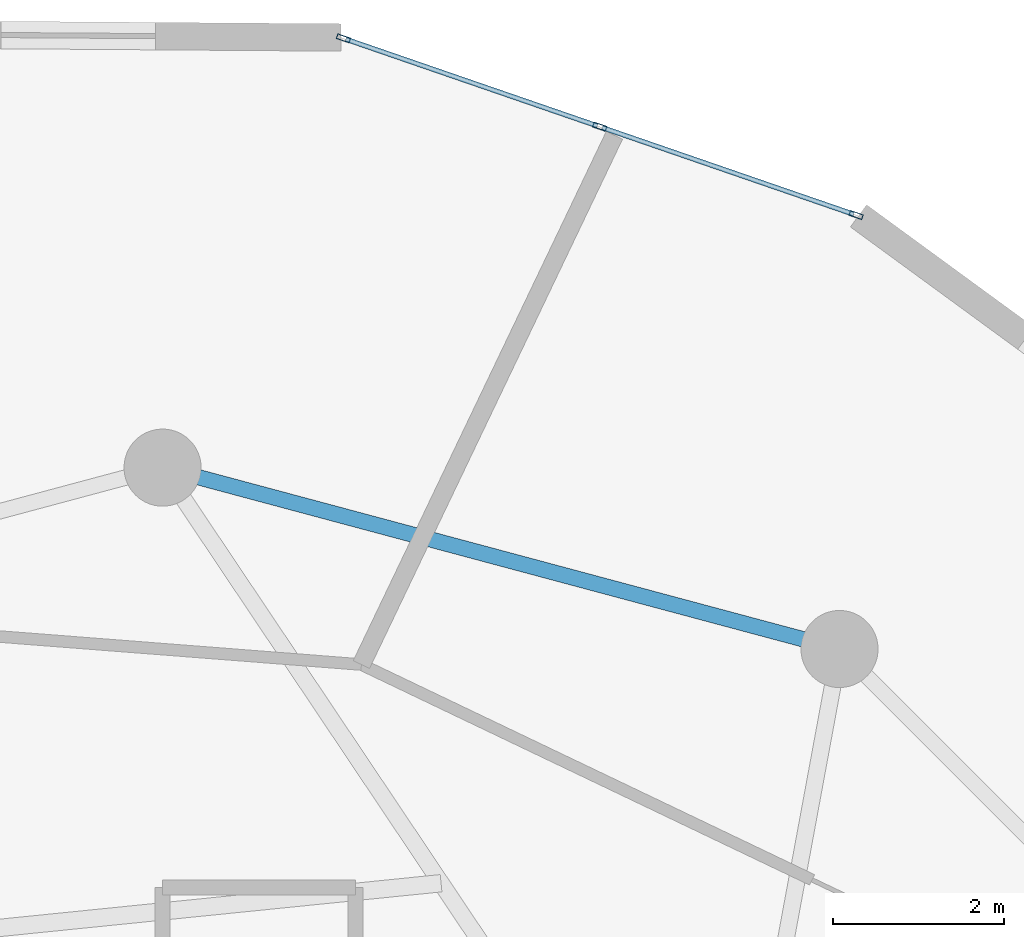
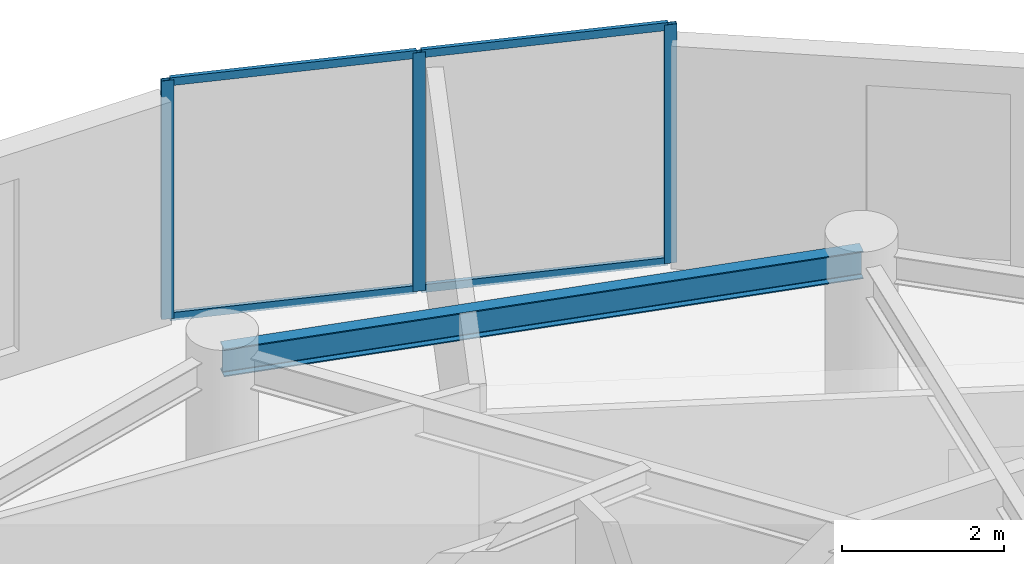
# One storey, part 10 of 17: 7 members, 1 beam, 1 element without a shape of its own.
"""IFC4 building model written with IfcOpenShell, lengths in metres."""

import ifcopenshell
import ifcopenshell.guid

model = None  # the IFC model being written
_history = None  # IfcOwnerHistory: only IFC2X3 demands one
_inside = {}  # id of a spatial element -> (the spatial element, [elements in it])
_under = {}  # id of a project, library or spatial element -> (it, [spatial elements below it])
_declared = {}  # id of a project -> (the project, [libraries it declares])
_typed = {}  # id of a type object -> (the type object, [elements of that type])
_made_of = {}  # id of a material, layer set ... -> (it, [elements and type objects made of it])


def new_model(schema):
    """Start an empty IFC model of exactly this schema.

    Asked for "IFC4X3", IfcOpenShell would pick the latest addendum, in which some entities
    have other attributes; the version numbers below select the first issue.
    IFC2X3 requires an IfcOwnerHistory on every rooted entity: one is made here for all.
    """
    global model, _history
    if schema == "IFC4X3":
        model = ifcopenshell.file(schema_version=(4, 3, 0, 0))
    else:
        model = ifcopenshell.file(schema=schema)
    _inside.clear()
    _under.clear()
    _declared.clear()
    _typed.clear()
    _made_of.clear()
    _history = None
    if model.schema == "IFC2X3":
        org = make("IfcOrganization", Name="unknown")
        user = make(
            "IfcPersonAndOrganization",
            ThePerson=make("IfcPerson", FamilyName="unknown"),
            TheOrganization=org,
        )
        app = make(
            "IfcApplication",
            ApplicationDeveloper=org,
            Version="unknown",
            ApplicationFullName="unknown",
            ApplicationIdentifier="unknown",
        )
        _history = make(
            "IfcOwnerHistory",
            OwningUser=user,
            OwningApplication=app,
            ChangeAction="ADDED",
            CreationDate=0,
        )
    return model


def make(cls, **values):
    """One entity of the class cls with the attributes given. An attribute that is None is left unset."""
    return model.create_entity(
        cls, **{name: value for name, value in values.items() if value is not None}
    )


def rooted(cls, **values):
    """An entity with a GlobalId (a new one), such as an element, a storey or a relation."""
    return make(cls, GlobalId=ifcopenshell.guid.new(), OwnerHistory=_history, **values)


def si_unit(unit_type, name, prefix=None):
    """IfcSIUnit, for example si_unit("LENGTHUNIT", "METRE", prefix="MILLI")."""
    return make("IfcSIUnit", UnitType=unit_type, Prefix=prefix, Name=name)


def assignment(units):
    """IfcUnitAssignment: the units of a project."""
    return None if units is None else make("IfcUnitAssignment", Units=units)


def point(xyz):
    """IfcCartesianPoint."""
    return None if xyz is None else make("IfcCartesianPoint", Coordinates=xyz)


def direction(xyz):
    """IfcDirection."""
    return None if xyz is None else make("IfcDirection", DirectionRatios=xyz)


def frame(location, z_axis=None, x_axis=None):
    """IfcAxis2Placement3D, a coordinate frame: its origin and axes. An axis left out is left unset."""
    return make(
        "IfcAxis2Placement3D",
        Location=point(location),
        Axis=direction(z_axis),
        RefDirection=direction(x_axis),
    )


def frame_2d(location, x_axis=None):
    """IfcAxis2Placement2D, a coordinate frame in the plane: its origin and x axis."""
    return make(
        "IfcAxis2Placement2D", Location=point(location), RefDirection=direction(x_axis)
    )


def origin():
    """The frame at (0, 0, 0) with its axes left unset."""
    return frame((0.0, 0.0, 0.0))


def origin_2d():
    """The frame at (0, 0) in the plane with its x axis left unset."""
    return frame_2d((0.0, 0.0))


def place(relative_to, where):
    """IfcLocalPlacement: puts the frame where relative to a parent placement (None: the world)."""
    return make(
        "IfcLocalPlacement", PlacementRelTo=relative_to, RelativePlacement=where
    )


def context(
    kind, dimensions, precision=None, world=None, true_north=None, identifier=None
):
    """IfcGeometricRepresentationContext, for example the 3D "Model" context."""
    return make(
        "IfcGeometricRepresentationContext",
        ContextIdentifier=identifier,
        ContextType=kind,
        CoordinateSpaceDimension=dimensions,
        Precision=precision,
        WorldCoordinateSystem=world,
        TrueNorth=true_north,
    )


def subcontext(parent, identifier, kind, view, scale=None):
    """IfcGeometricRepresentationSubContext, for example "Body" below "Model"."""
    return make(
        "IfcGeometricRepresentationSubContext",
        ContextIdentifier=identifier,
        ContextType=kind,
        ParentContext=parent,
        TargetScale=scale,
        TargetView=view,
    )


def project(units=None, contexts=None):
    """IfcProject with its units and contexts."""
    return rooted(
        "IfcProject",
        Name="project",
        RepresentationContexts=contexts,
        UnitsInContext=assignment(units),
    )


def spatial(cls, under=None, at=None, **own):
    """A site, building, storey or space (cls), placed at a placement, below another one or the project."""
    s = rooted(cls, ObjectPlacement=at, **own)
    if under is not None:
        _under.setdefault(under.id(), (under, []))[1].append(s)
    return s


def profile(cls, at=None, kind="AREA", **sizes):
    """A parametric profile (cls). Its sizes go by their IFC names, for example OverallWidth=200.0."""
    return make(cls, ProfileType=kind, Position=at, **sizes)


def hollow_rectangle(**sizes):
    """IfcRectangleHollowProfileDef."""
    return profile("IfcRectangleHollowProfileDef", **sizes)


def i_section(**sizes):
    """IfcIShapeProfileDef."""
    return profile("IfcIShapeProfileDef", **sizes)


def extrude(swept, where, along, depth):
    """IfcExtrudedAreaSolid: the profile swept, set in the frame where, extruded along a direction by depth."""
    return make(
        "IfcExtrudedAreaSolid",
        SweptArea=swept,
        Position=where,
        ExtrudedDirection=direction(along),
        Depth=depth,
    )


def shape(context_of_items, identifier, shape_type, items):
    """IfcShapeRepresentation: the items that make up one representation, for example the "Body"."""
    return make(
        "IfcShapeRepresentation",
        ContextOfItems=context_of_items,
        RepresentationIdentifier=identifier,
        RepresentationType=shape_type,
        Items=items,
    )


def source(mapping_origin, context_of_items, identifier, shape_type, items):
    """IfcRepresentationMap: a shape defined once, which mapped items show again and again."""
    return make(
        "IfcRepresentationMap",
        MappingOrigin=mapping_origin,
        MappedRepresentation=shape(context_of_items, identifier, shape_type, items),
    )


def transform(
    local_origin,
    x_axis=None,
    y_axis=None,
    z_axis=None,
    scale=None,
    scale2=None,
    scale3=None,
    uniform=True,
):
    """IfcCartesianTransformationOperator3D, or its non-uniform kind. x_axis, y_axis, z_axis: its Axis1, 2, 3."""
    if uniform:
        return make(
            "IfcCartesianTransformationOperator3D",
            Axis1=direction(x_axis),
            Axis2=direction(y_axis),
            LocalOrigin=point(local_origin),
            Scale=scale,
            Axis3=direction(z_axis),
        )
    return make(
        "IfcCartesianTransformationOperator3DnonUniform",
        Axis1=direction(x_axis),
        Axis2=direction(y_axis),
        LocalOrigin=point(local_origin),
        Scale=scale,
        Axis3=direction(z_axis),
        Scale2=scale2,
        Scale3=scale3,
    )


def mapped(mapping_source, mapping_target):
    """IfcMappedItem: shows the shape of a source again, moved by a transform."""
    return make(
        "IfcMappedItem", MappingSource=mapping_source, MappingTarget=mapping_target
    )


def material(Name=None, Category=None):
    """IfcMaterial."""
    return make("IfcMaterial", Name=Name, Category=Category)


def layer(
    of_material, thickness, ventilated=None, Name=None, Category=None, Priority=None
):
    """IfcMaterialLayer: one layer of a wall or slab, of a material (None: an air gap)."""
    return make(
        "IfcMaterialLayer",
        Material=of_material,
        LayerThickness=thickness,
        IsVentilated=ventilated,
        Name=Name,
        Category=Category,
        Priority=Priority,
    )


def layer_set(layers, Name=None):
    """IfcMaterialLayerSet."""
    return make("IfcMaterialLayerSet", MaterialLayers=layers, LayerSetName=Name)


def material_profile(
    of_material, cross_section, Name=None, Category=None, Priority=None
):
    """IfcMaterialProfile: a cross section and its material."""
    return make(
        "IfcMaterialProfile",
        Name=Name,
        Material=of_material,
        Profile=cross_section,
        Priority=Priority,
        Category=Category,
    )


def profile_set(profiles, Name=None, composite=None):
    """IfcMaterialProfileSet."""
    return make(
        "IfcMaterialProfileSet",
        Name=Name,
        MaterialProfiles=profiles,
        CompositeProfile=composite,
    )


def made_of(thing, what):
    """Note that an element or type object is made of a material, layer set ...; save() writes the relation."""
    if what is not None:
        _made_of.setdefault(what.id(), (what, []))[1].append(thing)
    return thing


def type_object(cls, material=None, **own):
    """A type object (cls), such as IfcWallType, which elements share."""
    return made_of(rooted(cls, **own), material)


def element(
    cls,
    number,
    at=None,
    inside=None,
    cuts=None,
    type_object=None,
    material=None,
    context=None,
    identifier="Body",
    shape_type=None,
    held_by="IfcProductDefinitionShape",
    body=None,
    shapes=None,
    **own,
):
    """One element of the class cls, such as IfcWall. Its Tag is "e" and its number.

    at: its placement. inside: the storey or other place that contains it. cuts: it is an
    opening in that element (IfcRelVoidsElement). A single representation is given by context,
    identifier, shape_type and body (its items); several are given by shapes. held_by: the class
    of the entity that holds the representations. save() writes the other relations.
    """
    e = rooted(cls, Tag="e%d" % number, ObjectPlacement=at, **own)
    if body is not None:
        shapes = [shape(context, identifier, shape_type, body)]
    if shapes is not None:
        e.Representation = make(held_by, Representations=shapes)
    if inside is not None:
        _inside.setdefault(inside.id(), (inside, []))[1].append(e)
    if cuts is not None:
        rooted(
            "IfcRelVoidsElement", RelatingBuildingElement=cuts, RelatedOpeningElement=e
        )
    if type_object is not None:
        _typed.setdefault(type_object.id(), (type_object, []))[1].append(e)
    return made_of(e, material)


def aggregate(whole, parts):
    """IfcRelAggregates: a whole, such as a stair, and the parts it consists of."""
    return rooted("IfcRelAggregates", RelatingObject=whole, RelatedObjects=parts)


def save(model, path):
    """Write the relations noted so far, then the file.

    IfcRelAggregates (storeys below a building ...), IfcRelContainedInSpatialStructure (elements
    in a storey), IfcRelDefinesByType, IfcRelAssociatesMaterial and IfcRelDeclares: one each for
    every whole, place, type object, material and project.
    """
    for whole, parts in _under.values():
        aggregate(whole, parts)
    for where, things in _inside.values():
        rooted(
            "IfcRelContainedInSpatialStructure",
            RelatedElements=things,
            RelatingStructure=where,
        )
    for kind, things in _typed.values():
        rooted("IfcRelDefinesByType", RelatedObjects=things, RelatingType=kind)
    for what, things in _made_of.values():
        rooted("IfcRelAssociatesMaterial", RelatedObjects=things, RelatingMaterial=what)
    for by, libraries in _declared.values():
        rooted("IfcRelDeclares", RelatingContext=by, RelatedDefinitions=libraries)
    model.write(path)


model = new_model("IFC4")

# Units and contexts
model_context = context("Model", 3, precision=1e-05, world=origin(), true_north=direction((0.0, 1.0)))
body_context = subcontext(model_context, "Body", "Model", "MODEL_VIEW")
ifc_project = project(units=[si_unit("LENGTHUNIT", "METRE"), si_unit("AREAUNIT", "SQUARE_METRE"), si_unit("VOLUMEUNIT", "CUBIC_METRE"), si_unit("PLANEANGLEUNIT", "RADIAN"), si_unit("MASSUNIT", "GRAM", prefix="KILO")], contexts=[model_context])

# Site, building, storey
site_placement = place(None, origin())
site = spatial("IfcSite", under=ifc_project, at=site_placement, CompositionType="ELEMENT")
building_placement = place(site_placement, origin())
building = spatial("IfcBuilding", under=site, at=building_placement, Name="Solvirekh Grand Hotel", CompositionType="ELEMENT")
storey_placement = place(building_placement, frame((0.0, 0.0, 191.199951171875)))
storey = spatial("IfcBuildingStorey", under=building, at=storey_placement, Name="L49", CompositionType="ELEMENT", Elevation=191.199951171875)

# Beam
ifc_material_1 = material(Name="Steel S355", Category="steel")
ifc_material_profile_1 = material_profile(ifc_material_1, i_section(OverallWidth=0.180908203125, OverallDepth=0.4169921875, WebThickness=0.010009765625, FlangeThickness=0.01611328125, FilletRadius=0.011962890625, at=origin_2d()), Name="W410X85")
ifc_profile_set_1 = profile_set([ifc_material_profile_1], Name="Steel S355")
beam_type = type_object("IfcBeamType", Name="Spandrel_Ring_W410", PredefinedType="SPANDREL", material=ifc_profile_set_1)
beam_placement = place(storey_placement, frame((7.89990234375, 13.68310546875, 3.152099609375), z_axis=(-0.965920601923, 0.258838541915, 0.0), x_axis=(-0.258838541915, -0.965920601923, 0.0)))
element("IfcBeam", 1, at=beam_placement, inside=storey, type_object=beam_type, Name="L49 perimeter spandrel beam 3", PredefinedType="SPANDREL", context=body_context, shape_type="SweptSolid", body=[
    extrude(i_section(OverallWidth=0.180908203125, OverallDepth=0.4169921875, WebThickness=0.010009765625, FlangeThickness=0.01611328125, FilletRadius=0.011962890625, at=origin_2d()), origin(), (0.0, 0.0, 1.0), 8.1787109375),
])

# Curtain wall, members
ifc_material_2 = material(Name="Anodized Bronze Aluminium 6063-T6", Category="aluminium")
ifc_layer = layer(ifc_material_2, 0.159912109375)
ifc_layer_set = layer_set([ifc_layer], Name="Anodized Bronze Aluminium 6063-T6")
curtain_wall_type = type_object("IfcCurtainWallType", Name="CW_Sys4_HighZoneFlushBronzeCW", PredefinedType="NOTDEFINED", material=ifc_layer_set)
curtain_wall_placement = place(storey_placement, origin())
curtain_wall = element("IfcCurtainWall", 2, at=curtain_wall_placement, inside=storey, type_object=curtain_wall_type, Name="L49 unitised bronze-glass curtain wall CW-L49-C08", PredefinedType="NOTDEFINED")
ifc_material_profile_2 = material_profile(ifc_material_2, hollow_rectangle(XDim=0.06005859375, YDim=0.159912109375, WallThickness=0.0048828125, at=origin_2d()), Name="ALU RHS 160X60X5")
ifc_profile_set_2 = profile_set([ifc_material_profile_2], Name="Anodized Bronze Aluminium 6063-T6")
member_type_1 = type_object("IfcMemberType", Name="CWMullion_Sys4", PredefinedType="MULLION", material=ifc_profile_set_2)
shared_shape_1 = source(origin(), body_context, "Body", "SweptSolid", [
    extrude(hollow_rectangle(XDim=0.06005859375, YDim=0.159912109375, WallThickness=0.0048828125, at=origin_2d()), origin(), (0.0, 0.0, 1.0), 3.60009765625),
])
member_1_placement = place(storey_placement, frame((8.09375, 18.747802734375, 0.0), z_axis=(0.0, 0.0, 1.0), x_axis=(-0.325884557137, -0.945409570197, 0.0)))
member_1 = element("IfcMember", 3, at=member_1_placement, type_object=member_type_1, Name="U04 mullion 1", PredefinedType="MULLION", context=body_context, shape_type="MappedRepresentation", body=[
    mapped(shared_shape_1, transform((0.0, 0.0, 0.0), x_axis=(1.0, 0.0, 0.0), y_axis=(0.0, 1.0, 0.0), z_axis=(0.0, 0.0, 1.0), scale=1.0)),
])
member_2_placement = place(storey_placement, frame((5.10205078125, 19.779052734375, 0.0), z_axis=(0.0, 0.0, 1.0), x_axis=(-0.325884557137, -0.945409570197, 0.0)))
member_2 = element("IfcMember", 4, at=member_2_placement, type_object=member_type_1, Name="U04 mullion 2", PredefinedType="MULLION", context=body_context, shape_type="MappedRepresentation", body=[
    mapped(shared_shape_1, transform((0.0, 0.0, 0.0), x_axis=(1.0, 0.0, 0.0), y_axis=(0.0, 1.0, 0.0), z_axis=(0.0, 0.0, 1.0), scale=1.0)),
])
member_3_placement = place(storey_placement, frame((2.1103515625, 20.810302734375, 0.0), z_axis=(0.0, 0.0, 1.0), x_axis=(-0.325884557137, -0.945409570197, 0.0)))
member_3 = element("IfcMember", 5, at=member_3_placement, type_object=member_type_1, Name="U04 mullion 3", PredefinedType="MULLION", context=body_context, shape_type="MappedRepresentation", body=[
    mapped(shared_shape_1, transform((0.0, 0.0, 0.0), x_axis=(1.0, 0.0, 0.0), y_axis=(0.0, 1.0, 0.0), z_axis=(0.0, 0.0, 1.0), scale=1.0)),
])
ifc_material_profile_3 = material_profile(ifc_material_2, hollow_rectangle(XDim=0.054931640625, YDim=0.1201171875, WallThickness=0.00390625, at=origin_2d()), Name="ALU RHS 120X55X4")
ifc_profile_set_3 = profile_set([ifc_material_profile_3], Name="Anodized Bronze Aluminium 6063-T6")
member_type_2 = type_object("IfcMemberType", Name="CWTransom_Sys4", PredefinedType="USERDEFINED", material=ifc_profile_set_3)
shared_shape_2 = source(origin(), body_context, "Body", "SweptSolid", [
    extrude(hollow_rectangle(XDim=0.054931640625, YDim=0.1201171875, WallThickness=0.00390625, at=origin_2d()), origin(), (0.0, 0.0, 1.0), 3.1044921875),
])
member_4_placement = place(storey_placement, frame((5.07373046875, 19.788818359375, 0.027587890625), z_axis=(-0.945409746694, 0.325884045109, 0.0), x_axis=(-0.325884045109, -0.945409746694, 0.0)))
member_4 = element("IfcMember", 6, at=member_4_placement, type_object=member_type_2, Name="U04 transom 2.1", ObjectType="TRANSOM", PredefinedType="USERDEFINED", context=body_context, shape_type="MappedRepresentation", body=[
    mapped(shared_shape_2, transform((0.0, 0.0, 0.0), x_axis=(1.0, 0.0, 0.0), y_axis=(0.0, 1.0, 0.0), z_axis=(0.0, 0.0, 1.0), scale=1.0)),
])
member_5_placement = place(storey_placement, frame((5.07373046875, 19.788818359375, 3.572509765625), z_axis=(-0.945409746694, 0.325884045109, 0.0), x_axis=(-0.325884045109, -0.945409746694, 0.0)))
member_5 = element("IfcMember", 7, at=member_5_placement, type_object=member_type_2, Name="U04 transom 2.2", ObjectType="TRANSOM", PredefinedType="USERDEFINED", context=body_context, shape_type="MappedRepresentation", body=[
    mapped(shared_shape_2, transform((0.0, 0.0, 0.0), x_axis=(1.0, 0.0, 0.0), y_axis=(0.0, 1.0, 0.0), z_axis=(0.0, 0.0, 1.0), scale=1.0)),
])
shared_shape_3 = source(origin(), body_context, "Body", "SweptSolid", [
    extrude(hollow_rectangle(XDim=0.054931640625, YDim=0.1201171875, WallThickness=0.00390625, at=origin_2d()), origin(), (0.0, 0.0, 1.0), 3.104248046875),
])
member_6_placement = place(storey_placement, frame((8.065185546875, 18.757568359375, 0.027587890625), z_axis=(-0.945401394165, 0.325908275303, 0.0), x_axis=(-0.325908275303, -0.945401394165, 0.0)))
member_6 = element("IfcMember", 8, at=member_6_placement, type_object=member_type_2, Name="U04 transom 1.1", ObjectType="TRANSOM", PredefinedType="USERDEFINED", context=body_context, shape_type="MappedRepresentation", body=[
    mapped(shared_shape_3, transform((0.0, 0.0, 0.0), x_axis=(1.0, 0.0, 0.0), y_axis=(0.0, 1.0, 0.0), z_axis=(0.0, 0.0, 1.0), scale=1.0)),
])
member_7_placement = place(storey_placement, frame((8.065185546875, 18.757568359375, 3.572509765625), z_axis=(-0.945401394165, 0.325908275303, 0.0), x_axis=(-0.325908275303, -0.945401394165, 0.0)))
member_7 = element("IfcMember", 9, at=member_7_placement, type_object=member_type_2, Name="U04 transom 1.2", ObjectType="TRANSOM", PredefinedType="USERDEFINED", context=body_context, shape_type="MappedRepresentation", body=[
    mapped(shared_shape_3, transform((0.0, 0.0, 0.0), x_axis=(1.0, 0.0, 0.0), y_axis=(0.0, 1.0, 0.0), z_axis=(0.0, 0.0, 1.0), scale=1.0)),
])
aggregate(curtain_wall, [member_1, member_2, member_3, member_6, member_7, member_4, member_5])

save(model, "model.ifc")
